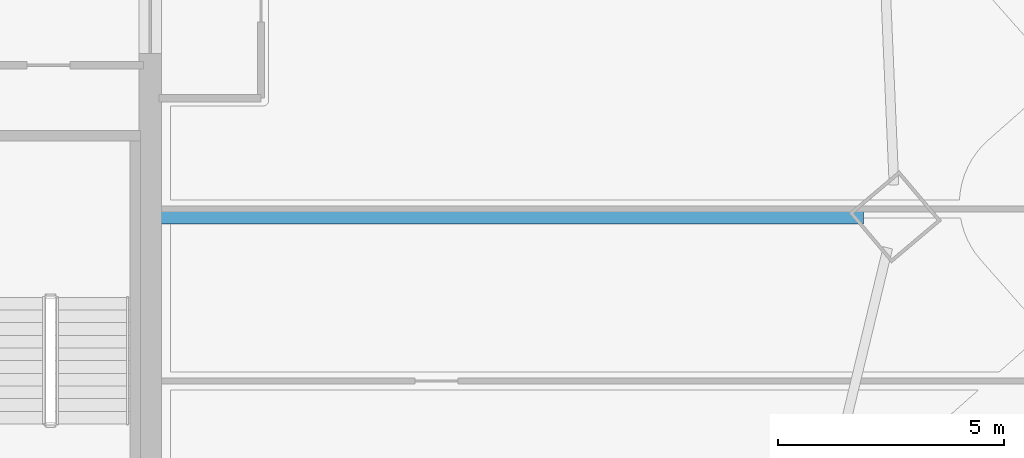
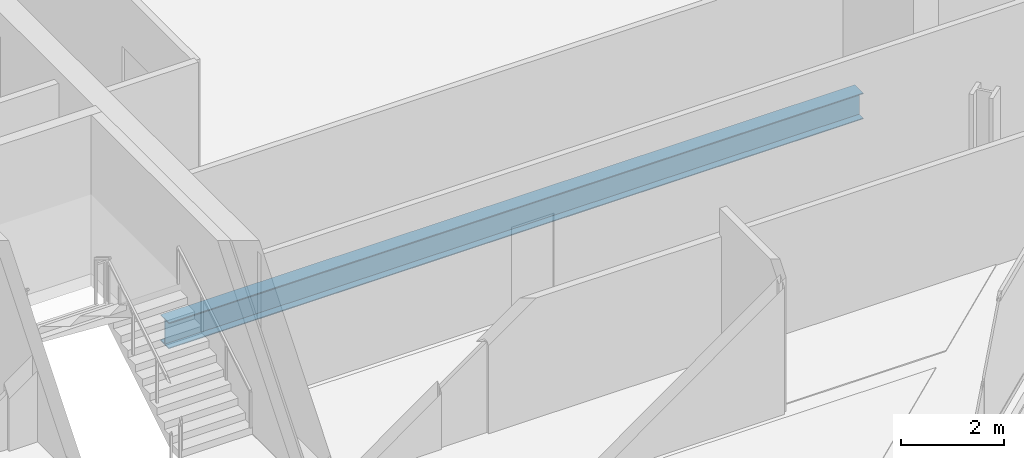
# One storey, part 12 of 34: 1 beam.
"""IFC4 building model written with IfcOpenShell, lengths in metres."""

import ifcopenshell
import ifcopenshell.guid

model = None  # the IFC model being written
_history = None  # IfcOwnerHistory: only IFC2X3 demands one
_inside = {}  # id of a spatial element -> (the spatial element, [elements in it])
_under = {}  # id of a project, library or spatial element -> (it, [spatial elements below it])
_declared = {}  # id of a project -> (the project, [libraries it declares])
_typed = {}  # id of a type object -> (the type object, [elements of that type])
_made_of = {}  # id of a material, layer set ... -> (it, [elements and type objects made of it])


def new_model(schema):
    """Start an empty IFC model of exactly this schema.

    Asked for "IFC4X3", IfcOpenShell would pick the latest addendum, in which some entities
    have other attributes; the version numbers below select the first issue.
    IFC2X3 requires an IfcOwnerHistory on every rooted entity: one is made here for all.
    """
    global model, _history
    if schema == "IFC4X3":
        model = ifcopenshell.file(schema_version=(4, 3, 0, 0))
    else:
        model = ifcopenshell.file(schema=schema)
    _inside.clear()
    _under.clear()
    _declared.clear()
    _typed.clear()
    _made_of.clear()
    _history = None
    if model.schema == "IFC2X3":
        org = make("IfcOrganization", Name="unknown")
        user = make(
            "IfcPersonAndOrganization",
            ThePerson=make("IfcPerson", FamilyName="unknown"),
            TheOrganization=org,
        )
        app = make(
            "IfcApplication",
            ApplicationDeveloper=org,
            Version="unknown",
            ApplicationFullName="unknown",
            ApplicationIdentifier="unknown",
        )
        _history = make(
            "IfcOwnerHistory",
            OwningUser=user,
            OwningApplication=app,
            ChangeAction="ADDED",
            CreationDate=0,
        )
    return model


def make(cls, **values):
    """One entity of the class cls with the attributes given. An attribute that is None is left unset."""
    return model.create_entity(
        cls, **{name: value for name, value in values.items() if value is not None}
    )


def rooted(cls, **values):
    """An entity with a GlobalId (a new one), such as an element, a storey or a relation."""
    return make(cls, GlobalId=ifcopenshell.guid.new(), OwnerHistory=_history, **values)


def si_unit(unit_type, name, prefix=None):
    """IfcSIUnit, for example si_unit("LENGTHUNIT", "METRE", prefix="MILLI")."""
    return make("IfcSIUnit", UnitType=unit_type, Prefix=prefix, Name=name)


def assignment(units):
    """IfcUnitAssignment: the units of a project."""
    return None if units is None else make("IfcUnitAssignment", Units=units)


def point(xyz):
    """IfcCartesianPoint."""
    return None if xyz is None else make("IfcCartesianPoint", Coordinates=xyz)


def direction(xyz):
    """IfcDirection."""
    return None if xyz is None else make("IfcDirection", DirectionRatios=xyz)


def frame(location, z_axis=None, x_axis=None):
    """IfcAxis2Placement3D, a coordinate frame: its origin and axes. An axis left out is left unset."""
    return make(
        "IfcAxis2Placement3D",
        Location=point(location),
        Axis=direction(z_axis),
        RefDirection=direction(x_axis),
    )


def frame_2d(location, x_axis=None):
    """IfcAxis2Placement2D, a coordinate frame in the plane: its origin and x axis."""
    return make(
        "IfcAxis2Placement2D", Location=point(location), RefDirection=direction(x_axis)
    )


def origin():
    """The frame at (0, 0, 0) with its axes left unset."""
    return frame((0.0, 0.0, 0.0))


def origin_2d():
    """The frame at (0, 0) in the plane with its x axis left unset."""
    return frame_2d((0.0, 0.0))


def place(relative_to, where):
    """IfcLocalPlacement: puts the frame where relative to a parent placement (None: the world)."""
    return make(
        "IfcLocalPlacement", PlacementRelTo=relative_to, RelativePlacement=where
    )


def context(
    kind, dimensions, precision=None, world=None, true_north=None, identifier=None
):
    """IfcGeometricRepresentationContext, for example the 3D "Model" context."""
    return make(
        "IfcGeometricRepresentationContext",
        ContextIdentifier=identifier,
        ContextType=kind,
        CoordinateSpaceDimension=dimensions,
        Precision=precision,
        WorldCoordinateSystem=world,
        TrueNorth=true_north,
    )


def subcontext(parent, identifier, kind, view, scale=None):
    """IfcGeometricRepresentationSubContext, for example "Body" below "Model"."""
    return make(
        "IfcGeometricRepresentationSubContext",
        ContextIdentifier=identifier,
        ContextType=kind,
        ParentContext=parent,
        TargetScale=scale,
        TargetView=view,
    )


def project(units=None, contexts=None):
    """IfcProject with its units and contexts."""
    return rooted(
        "IfcProject",
        Name="project",
        RepresentationContexts=contexts,
        UnitsInContext=assignment(units),
    )


def spatial(cls, under=None, at=None, **own):
    """A site, building, storey or space (cls), placed at a placement, below another one or the project."""
    s = rooted(cls, ObjectPlacement=at, **own)
    if under is not None:
        _under.setdefault(under.id(), (under, []))[1].append(s)
    return s


def profile(cls, at=None, kind="AREA", **sizes):
    """A parametric profile (cls). Its sizes go by their IFC names, for example OverallWidth=200.0."""
    return make(cls, ProfileType=kind, Position=at, **sizes)


def i_section(**sizes):
    """IfcIShapeProfileDef."""
    return profile("IfcIShapeProfileDef", **sizes)


def extrude(swept, where, along, depth):
    """IfcExtrudedAreaSolid: the profile swept, set in the frame where, extruded along a direction by depth."""
    return make(
        "IfcExtrudedAreaSolid",
        SweptArea=swept,
        Position=where,
        ExtrudedDirection=direction(along),
        Depth=depth,
    )


def shape(context_of_items, identifier, shape_type, items):
    """IfcShapeRepresentation: the items that make up one representation, for example the "Body"."""
    return make(
        "IfcShapeRepresentation",
        ContextOfItems=context_of_items,
        RepresentationIdentifier=identifier,
        RepresentationType=shape_type,
        Items=items,
    )


def material(Name=None, Category=None):
    """IfcMaterial."""
    return make("IfcMaterial", Name=Name, Category=Category)


def material_profile(
    of_material, cross_section, Name=None, Category=None, Priority=None
):
    """IfcMaterialProfile: a cross section and its material."""
    return make(
        "IfcMaterialProfile",
        Name=Name,
        Material=of_material,
        Profile=cross_section,
        Priority=Priority,
        Category=Category,
    )


def profile_set(profiles, Name=None, composite=None):
    """IfcMaterialProfileSet."""
    return make(
        "IfcMaterialProfileSet",
        Name=Name,
        MaterialProfiles=profiles,
        CompositeProfile=composite,
    )


def made_of(thing, what):
    """Note that an element or type object is made of a material, layer set ...; save() writes the relation."""
    if what is not None:
        _made_of.setdefault(what.id(), (what, []))[1].append(thing)
    return thing


def type_object(cls, material=None, **own):
    """A type object (cls), such as IfcWallType, which elements share."""
    return made_of(rooted(cls, **own), material)


def element(
    cls,
    number,
    at=None,
    inside=None,
    cuts=None,
    type_object=None,
    material=None,
    context=None,
    identifier="Body",
    shape_type=None,
    held_by="IfcProductDefinitionShape",
    body=None,
    shapes=None,
    **own,
):
    """One element of the class cls, such as IfcWall. Its Tag is "e" and its number.

    at: its placement. inside: the storey or other place that contains it. cuts: it is an
    opening in that element (IfcRelVoidsElement). A single representation is given by context,
    identifier, shape_type and body (its items); several are given by shapes. held_by: the class
    of the entity that holds the representations. save() writes the other relations.
    """
    e = rooted(cls, Tag="e%d" % number, ObjectPlacement=at, **own)
    if body is not None:
        shapes = [shape(context, identifier, shape_type, body)]
    if shapes is not None:
        e.Representation = make(held_by, Representations=shapes)
    if inside is not None:
        _inside.setdefault(inside.id(), (inside, []))[1].append(e)
    if cuts is not None:
        rooted(
            "IfcRelVoidsElement", RelatingBuildingElement=cuts, RelatedOpeningElement=e
        )
    if type_object is not None:
        _typed.setdefault(type_object.id(), (type_object, []))[1].append(e)
    return made_of(e, material)


def aggregate(whole, parts):
    """IfcRelAggregates: a whole, such as a stair, and the parts it consists of."""
    return rooted("IfcRelAggregates", RelatingObject=whole, RelatedObjects=parts)


def save(model, path):
    """Write the relations noted so far, then the file.

    IfcRelAggregates (storeys below a building ...), IfcRelContainedInSpatialStructure (elements
    in a storey), IfcRelDefinesByType, IfcRelAssociatesMaterial and IfcRelDeclares: one each for
    every whole, place, type object, material and project.
    """
    for whole, parts in _under.values():
        aggregate(whole, parts)
    for where, things in _inside.values():
        rooted(
            "IfcRelContainedInSpatialStructure",
            RelatedElements=things,
            RelatingStructure=where,
        )
    for kind, things in _typed.values():
        rooted("IfcRelDefinesByType", RelatedObjects=things, RelatingType=kind)
    for what, things in _made_of.values():
        rooted("IfcRelAssociatesMaterial", RelatedObjects=things, RelatingMaterial=what)
    for by, libraries in _declared.values():
        rooted("IfcRelDeclares", RelatingContext=by, RelatedDefinitions=libraries)
    model.write(path)


model = new_model("IFC4")

# Units and contexts
model_context = context("Model", 3, precision=1e-05, world=origin(), true_north=direction((0.0, 1.0)))
body_context = subcontext(model_context, "Body", "Model", "MODEL_VIEW")
ifc_project = project(units=[si_unit("LENGTHUNIT", "METRE"), si_unit("AREAUNIT", "SQUARE_METRE"), si_unit("VOLUMEUNIT", "CUBIC_METRE"), si_unit("PLANEANGLEUNIT", "RADIAN"), si_unit("MASSUNIT", "GRAM", prefix="KILO")], contexts=[model_context])

# Site, building, storey
site_placement = place(None, origin())
site = spatial("IfcSite", under=ifc_project, at=site_placement, CompositionType="ELEMENT")
building_placement = place(site_placement, origin())
building = spatial("IfcBuilding", under=site, at=building_placement, Name="Haldenkirk Collegiate Tower", CompositionType="ELEMENT")
storey_placement = place(building_placement, frame((0.0, 0.0, 166.949951171875)))
storey = spatial("IfcBuildingStorey", under=building, at=storey_placement, Name="L41", CompositionType="ELEMENT", Elevation=166.949951171875)

# Beam
ifc_material = material(Name="Steel ASTM A992 Grade 50", Category="steel")
ifc_material_profile = material_profile(ifc_material, i_section(OverallWidth=0.324951171875, OverallDepth=0.615966796875, WebThickness=0.013916015625, FlangeThickness=0.021484375, at=origin_2d()), Name="W24X117")
ifc_profile_set = profile_set([ifc_material_profile], Name="Steel ASTM A992 Grade 50")
beam_type = type_object("IfcBeamType", Name="BM-GIRDER-W24X117", PredefinedType="BEAM", material=ifc_profile_set)
beam_placement = place(storey_placement, frame((60.760009765625, 24.62890625, -0.597900390625), z_axis=(-1.0, 0.0, 0.0), x_axis=(0.0, -1.0, 0.0)))
element("IfcBeam", 1, at=beam_placement, inside=storey, type_object=beam_type, Name="L41 primary floor girder 02", PredefinedType="BEAM", context=body_context, shape_type="SweptSolid", body=[
    extrude(i_section(OverallWidth=0.324951171875, OverallDepth=0.615966796875, WebThickness=0.013916015625, FlangeThickness=0.021484375, at=origin_2d()), origin(), (0.0, 0.0, 1.0), 15.530029296875),
])

save(model, "model.ifc")
